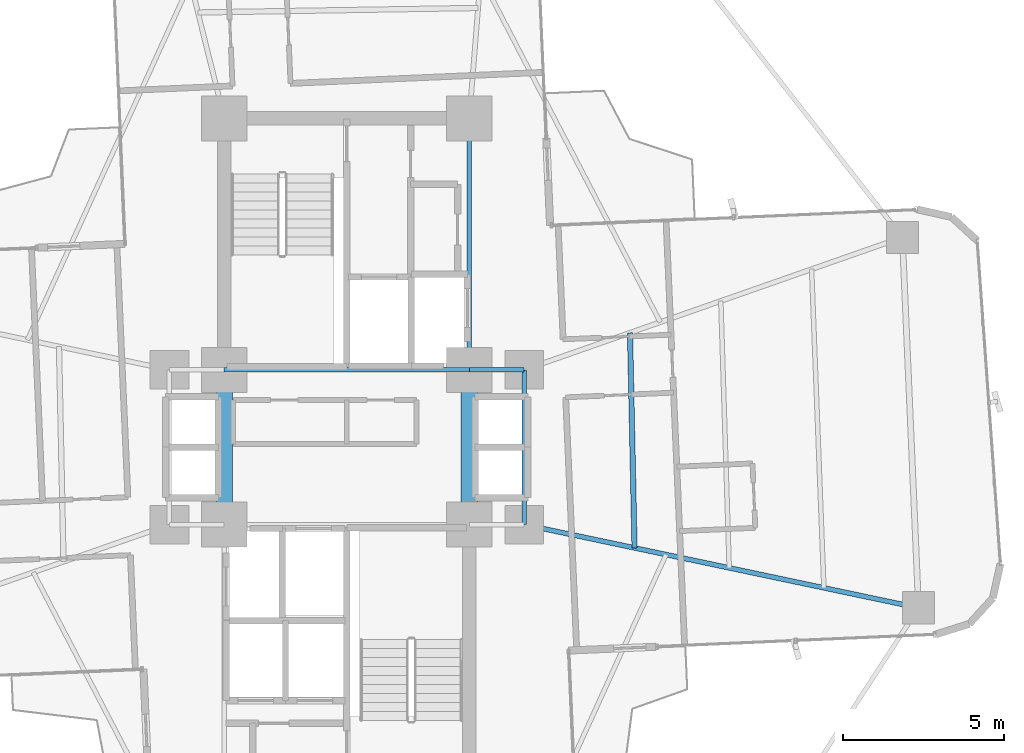
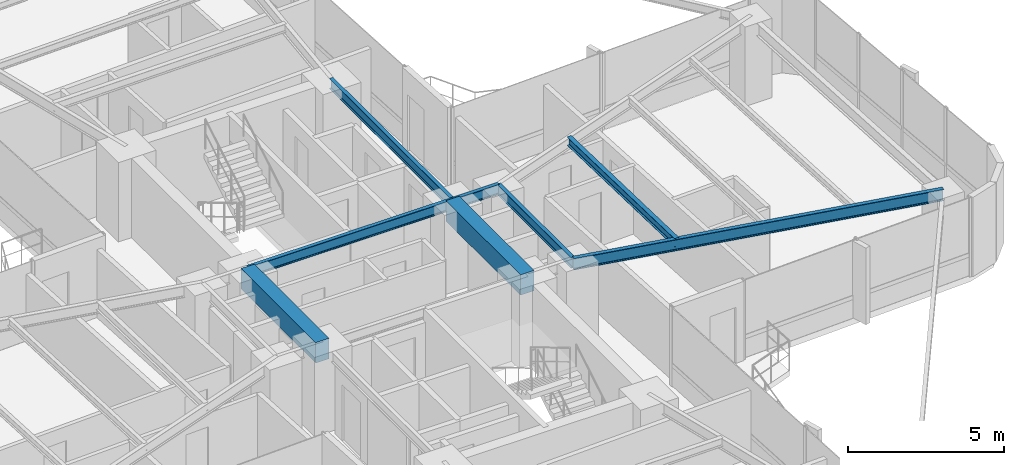
# One storey, part 12 of 26: 8 beams.
"""IFC4 building model written with IfcOpenShell, lengths in metres."""

from ifc_helpers import new_model, si_unit, direction, frame, origin, origin_2d, place, context, subcontext, project, spatial, rectangle, i_section, extrude, source, transform, mapped, material, material_profile, profile_set, type_object, element, save


model = new_model("IFC4")

# Units and contexts
model_context = context("Model", 3, precision=1e-05, world=origin(), true_north=direction((0.0, 1.0)))
body_context = subcontext(model_context, "Body", "Model", "MODEL_VIEW")
ifc_project = project(units=[si_unit("LENGTHUNIT", "METRE"), si_unit("AREAUNIT", "SQUARE_METRE"), si_unit("VOLUMEUNIT", "CUBIC_METRE"), si_unit("PLANEANGLEUNIT", "RADIAN"), si_unit("MASSUNIT", "GRAM", prefix="KILO")], contexts=[model_context])

# Site, building, storey
site_placement = place(None, origin())
site = spatial("IfcSite", under=ifc_project, at=site_placement, CompositionType="ELEMENT")
building_placement = place(site_placement, origin())
building = spatial("IfcBuilding", under=site, at=building_placement, Name="Sahyath Konkavel Grand Hotel", CompositionType="ELEMENT")
storey_placement = place(building_placement, frame((0.0, 0.0, 86.85009765625)))
storey = spatial("IfcBuildingStorey", under=building, at=storey_placement, Name="L23", CompositionType="ELEMENT", Elevation=86.85009765625)

# Beams
ifc_material_1 = material(Name="Steel E350", Category="steel")
ifc_material_profile_1 = material_profile(ifc_material_1, i_section(OverallWidth=0.139892578125, OverallDepth=0.39990234375, WebThickness=0.0087890625, FlangeThickness=0.01611328125, FilletRadius=0.013916015625, at=origin_2d()), Name="ISMB 400")
ifc_profile_set_1 = profile_set([ifc_material_profile_1], Name="Steel E350")
beam_type_1 = type_object("IfcBeamType", Name="BM-ISMB400", PredefinedType="BEAM", material=ifc_profile_set_1)
shared_shape_1 = source(origin(), body_context, "Body", "SweptSolid", [
    extrude(i_section(OverallWidth=0.139892578125, OverallDepth=0.39990234375, WebThickness=0.0087890625, FlangeThickness=0.01611328125, FilletRadius=0.013916015625, at=origin_2d()), origin(), (0.0, 0.0, 1.0), 7.60009765625),
])
beam_1_placement = place(storey_placement, frame((-3.800048828125, 2.39990234375, 2.909912109375), z_axis=(1.0, 0.0, 0.0), x_axis=(0.0, 1.0, 0.0)))
element("IfcBeam", 1, at=beam_1_placement, inside=storey, type_object=beam_type_1, Name="str:bm:L23:NC-S", PredefinedType="BEAM", context=body_context, shape_type="MappedRepresentation", body=[
    mapped(shared_shape_1, transform((0.0, 0.0, 0.0), scale=1.0)),
])
shared_shape_2 = source(origin(), body_context, "Body", "SweptSolid", [
    extrude(i_section(OverallWidth=0.139892578125, OverallDepth=0.39990234375, WebThickness=0.0087890625, FlangeThickness=0.01611328125, FilletRadius=0.013916015625, at=origin_2d()), origin(), (0.0, 0.0, 1.0), 7.800048828125),
])
beam_2_placement = place(storey_placement, frame((3.800048828125, 2.39990234375, 2.909912109375), z_axis=(0.0, 1.0, 0.0), x_axis=(-1.0, 0.0, 0.0)))
element("IfcBeam", 2, at=beam_2_placement, inside=storey, type_object=beam_type_1, Name="str:bm:L23:NC-E", PredefinedType="BEAM", context=body_context, shape_type="MappedRepresentation", body=[
    mapped(shared_shape_2, transform((0.0, 0.0, 0.0), scale=1.0)),
])
shared_shape_3 = source(origin(), body_context, "Body", "SweptSolid", [
    extrude(i_section(OverallWidth=0.139892578125, OverallDepth=0.39990234375, WebThickness=0.0087890625, FlangeThickness=0.01611328125, FilletRadius=0.013916015625, at=origin_2d()), origin(), (0.0, 0.0, 1.0), 1.699951171875),
])
beam_3_placement = place(storey_placement, frame((3.800048828125, 2.39990234375, 2.909912109375), z_axis=(1.0, 0.0, 0.0), x_axis=(0.0, 1.0, 0.0)))
element("IfcBeam", 3, at=beam_3_placement, inside=storey, type_object=beam_type_1, Name="str:bm:L23:HB-NE", PredefinedType="BEAM", context=body_context, shape_type="MappedRepresentation", body=[
    mapped(shared_shape_3, transform((0.0, 0.0, 0.0), scale=1.0)),
])
shared_shape_4 = source(origin(), body_context, "Body", "SweptSolid", [
    extrude(i_section(OverallWidth=0.139892578125, OverallDepth=0.39990234375, WebThickness=0.0087890625, FlangeThickness=0.01611328125, FilletRadius=0.013916015625, at=origin_2d()), origin(), (0.0, 0.0, 1.0), 4.7998046875),
])
beam_4_placement = place(storey_placement, frame((5.5, -2.39990234375, 2.909912109375), z_axis=(0.0, 1.0, 0.0), x_axis=(-1.0, 0.0, 0.0)))
element("IfcBeam", 4, at=beam_4_placement, inside=storey, type_object=beam_type_1, Name="str:bm:L23:HB-E", PredefinedType="BEAM", context=body_context, shape_type="MappedRepresentation", body=[
    mapped(shared_shape_4, transform((0.0, 0.0, 0.0), scale=1.0)),
])
ifc_material_2 = material(Name="Concrete C50/60", Category="concrete")
ifc_material_profile_2 = material_profile(ifc_material_2, rectangle(XDim=0.5, YDim=0.800048828125, at=origin_2d()), Name="RC 500x800")
ifc_profile_set_2 = profile_set([ifc_material_profile_2], Name="Concrete C50/60")
beam_type_2 = type_object("IfcBeamType", Name="BM-CB500x800", PredefinedType="LINTEL", material=ifc_profile_set_2)
shared_shape_5 = source(origin(), body_context, "Body", "SweptSolid", [
    extrude(rectangle(XDim=0.5, YDim=0.800048828125, at=origin_2d()), origin(), (0.0, 0.0, 1.0), 4.7998046875),
])
for number, where, z_axis, x_axis, name in (
    (5, (-3.800048828125, -2.39990234375, 2.7099609375), (0.0, 1.0, 0.0), (-1.0, 0.0, 0.0), "L23 Split-Core Coupling Beam West"),
    (6, (3.800048828125, -2.39990234375, 2.7099609375), (0.0, 1.0, 0.0), (-1.0, 0.0, 0.0), "L23 Split-Core Coupling Beam East"),
):
    element("IfcBeam", number, at=place(storey_placement, frame(where, z_axis=z_axis, x_axis=x_axis)), inside=storey, type_object=beam_type_2, Name=name, PredefinedType="LINTEL", context=body_context, shape_type="MappedRepresentation", body=[
        mapped(shared_shape_5, transform((0.0, 0.0, 0.0), scale=1.0)),
    ])
ifc_material_profile_3 = material_profile(ifc_material_1, i_section(OverallWidth=0.14990234375, OverallDepth=0.449951171875, WebThickness=0.009521484375, FlangeThickness=0.017333984375, FilletRadius=0.014892578125, at=origin_2d()), Name="ISMB 450")
ifc_profile_set_3 = profile_set([ifc_material_profile_3], Name="Steel E350")
beam_type_3 = type_object("IfcBeamType", Name="BM-ISMB450", PredefinedType="BEAM", material=ifc_profile_set_3)
shared_shape_6 = source(origin(), body_context, "Body", "SweptSolid", [
    extrude(i_section(OverallWidth=0.14990234375, OverallDepth=0.449951171875, WebThickness=0.009521484375, FlangeThickness=0.017333984375, FilletRadius=0.014892578125, at=origin_2d()), origin(), (0.0, 0.0, 1.0), 12.50341796875),
])
beam_5_placement = place(storey_placement, frame((5.5, -2.39990234375, 2.885009765625), z_axis=(0.978457911392, -0.206446398937, 0.0), x_axis=(0.206446398937, 0.978457911392, 0.0)))
element("IfcBeam", 7, at=beam_5_placement, inside=storey, type_object=beam_type_3, Name="L23 Cruciform Radial Girder EA", PredefinedType="BEAM", context=body_context, shape_type="MappedRepresentation", body=[
    mapped(shared_shape_6, transform((0.0, 0.0, 0.0), scale=1.0)),
])
ifc_material_profile_4 = material_profile(ifc_material_1, i_section(OverallWidth=0.1650390625, OverallDepth=0.324951171875, WebThickness=0.007080078125, FlangeThickness=0.009765625, FilletRadius=0.014892578125, at=origin_2d()), Name="ISLB 325")
ifc_profile_set_4 = profile_set([ifc_material_profile_4], Name="Steel E350")
beam_type_4 = type_object("IfcBeamType", Name="BM-ISLB325", PredefinedType="BEAM", material=ifc_profile_set_4)
shared_shape_7 = source(origin(), body_context, "Body", "SweptSolid", [
    extrude(i_section(OverallWidth=0.1650390625, OverallDepth=0.324951171875, WebThickness=0.007080078125, FlangeThickness=0.009765625, FilletRadius=0.014892578125, at=origin_2d()), origin(), (0.0, 0.0, 1.0), 6.674560546875),
])
beam_6_placement = place(storey_placement, frame((8.925537109375, -3.122802734375, 2.947509765625), z_axis=(-0.021032188543, 0.999778799058, 0.0), x_axis=(-0.999778799058, -0.021032188543, 0.0)))
element("IfcBeam", 8, at=beam_6_placement, inside=storey, type_object=beam_type_4, Name="L23 Secondary Floor Beam E-1", PredefinedType="BEAM", context=body_context, shape_type="MappedRepresentation", body=[
    mapped(shared_shape_7, transform((0.0, 0.0, 0.0), scale=1.0)),
])

save(model, "model.ifc")
